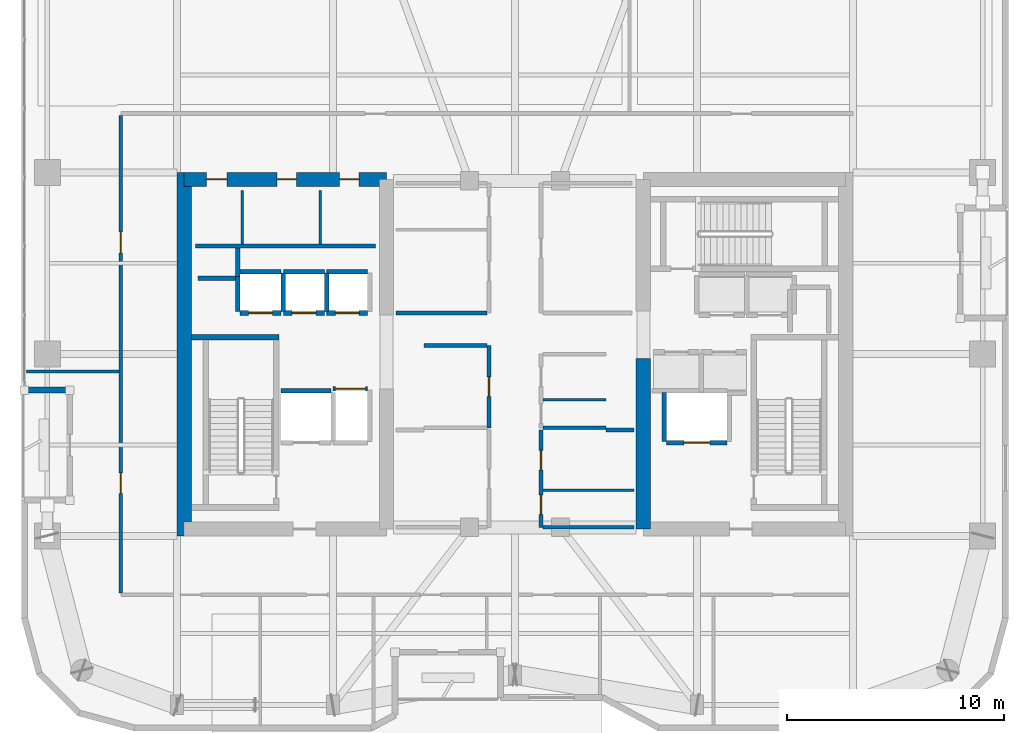
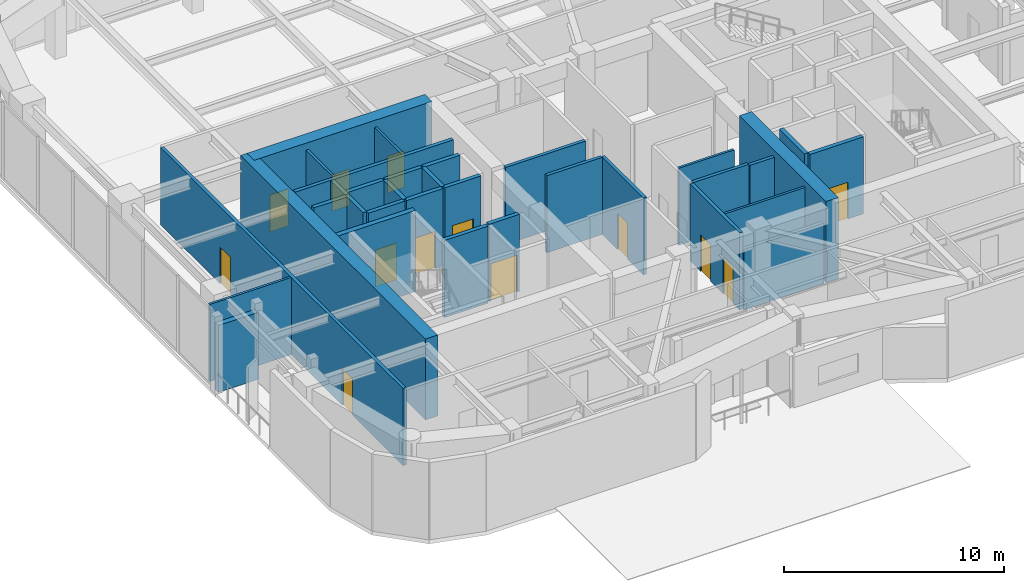
# One storey, part 12 of 18: 34 walls, 13 doors, 13 openings.
"""IFC4 building model written with IfcOpenShell, lengths in metres."""

from ifc_helpers import new_model, si_unit, direction, frame, frame_2d, origin, place, context, subcontext, project, spatial, rectangle, extrude, material, layer, layer_set, type_object, element, fill, save


model = new_model("IFC4")

# Units and contexts
model_context = context("Model", 3, precision=1e-05, world=origin(), true_north=direction((0.0, 1.0)))
body_context = subcontext(model_context, "Body", "Model", "MODEL_VIEW")
ifc_project = project(units=[si_unit("LENGTHUNIT", "METRE"), si_unit("AREAUNIT", "SQUARE_METRE"), si_unit("VOLUMEUNIT", "CUBIC_METRE"), si_unit("PLANEANGLEUNIT", "RADIAN"), si_unit("MASSUNIT", "GRAM", prefix="KILO")], contexts=[model_context])

# Site, building, storey
site_placement = place(None, origin())
site = spatial("IfcSite", under=ifc_project, at=site_placement, CompositionType="ELEMENT")
building_placement = place(site_placement, origin())
building = spatial("IfcBuilding", under=site, at=building_placement, Name="Kiyonajd Concourse Tower", CompositionType="ELEMENT")
storey_placement = place(building_placement, frame((0.0, 0.0, 214.800048828125)))
storey = spatial("IfcBuildingStorey", under=building, at=storey_placement, Name="L54", CompositionType="ELEMENT", Elevation=214.800048828125)

# Wall
ifc_material_1 = material(Name="Concrete C60/75", Category="concrete")
ifc_layer_1 = layer(ifc_material_1, 0.64990234375)
ifc_layer_set_1 = layer_set([ifc_layer_1], Name="Concrete C60/75")
wall_type_1 = type_object("IfcWallType", Name="WL-CORE-650", PredefinedType="SHEAR", material=ifc_layer_set_1)
wall_1_placement = place(storey_placement, frame((32.72509765625, 27.60009765625, 0.0), z_axis=(0.0, 0.0, 1.0), x_axis=(0.0, 1.0, 0.0)))
element("IfcWall", 1, at=wall_1_placement, inside=storey, type_object=wall_type_1, Name="L54 West Core Outer Shear Wall", PredefinedType="SHEAR", context=body_context, shape_type="SweptSolid", body=[
    extrude(rectangle(XDim=16.7998046875, YDim=0.64990234375, at=frame_2d((8.39990234375, 0.0))), origin(), (0.0, 0.0, 1.0), 4.5),
])

# Wall, openings, doors
wall_2_placement = place(storey_placement, frame((32.72509765625, 44.074951171875, 0.0), z_axis=(0.0, 0.0, 1.0), x_axis=(1.0, 0.0, 0.0)))
wall_2 = element("IfcWall", 2, at=wall_2_placement, inside=storey, type_object=wall_type_1, Name="L54 West Core North Shear Wall", PredefinedType="SHEAR", context=body_context, shape_type="SweptSolid", body=[
    extrude(rectangle(XDim=9.349853515625, YDim=0.64990234375, at=frame_2d((4.6748046875, 0.0))), origin(), (0.0, 0.0, 1.0), 4.5),
])
opening_1_placement = place(wall_2_placement, frame((1.02490234375, 0.0, 0.0)))
opening_1 = element("IfcOpeningElement", 3, at=opening_1_placement, cuts=wall_2, Name="Opening DI1", PredefinedType="OPENING", context=body_context, shape_type="SweptSolid", body=[
    extrude(rectangle(XDim=0.949951171875, YDim=2.0400390625, at=frame_2d((0.47509765625, 1.02001953125))), frame((0.0, 0.3349609375, 0.0), z_axis=(0.0, -1.0, 0.0), x_axis=(1.0, 0.0, 0.0)), (0.0, 0.0, 1.0), 0.669921875),
])
opening_2_placement = place(wall_2_placement, frame((4.27490234375, 0.0, 0.0)))
opening_2 = element("IfcOpeningElement", 4, at=opening_2_placement, cuts=wall_2, Name="Opening DI2", PredefinedType="OPENING", context=body_context, shape_type="SweptSolid", body=[
    extrude(rectangle(XDim=0.89990234375, YDim=2.02001953125, at=frame_2d((0.449951171875, 1.010009765625))), frame((0.0, 0.3349609375, 0.0), z_axis=(0.0, -1.0, 0.0), x_axis=(1.0, 0.0, 0.0)), (0.0, 0.0, 1.0), 0.669921875),
])
opening_3_placement = place(wall_2_placement, frame((7.175048828125, 0.0, 0.0)))
opening_3 = element("IfcOpeningElement", 5, at=opening_3_placement, cuts=wall_2, Name="Opening DI2", PredefinedType="OPENING", context=body_context, shape_type="SweptSolid", body=[
    extrude(rectangle(XDim=0.89990234375, YDim=2.02001953125, at=frame_2d((0.449951171875, 1.010009765625))), frame((0.0, 0.3349609375, 0.0), z_axis=(0.0, -1.0, 0.0), x_axis=(1.0, 0.0, 0.0)), (0.0, 0.0, 1.0), 0.669921875),
])
ifc_material_2 = material(Name="Natural Oak Acoustic Timber Veneer", Category="wood")
door_type_1 = type_object("IfcDoorType", Name="DR-INT-900", OperationType="NOTDEFINED", PredefinedType="DOOR", material=ifc_material_2)
door_1_placement = place(opening_2_placement, origin())
door_1 = element("IfcDoor", 6, at=door_1_placement, inside=storey, type_object=door_type_1, Name="L54 Male Restroom Door", OperationType="SINGLE_SWING_RIGHT", OverallHeight=2.02001953125, OverallWidth=0.89990234375, PredefinedType="DOOR", context=body_context, shape_type="SweptSolid", body=[
    extrude(rectangle(XDim=0.89990234375, YDim=2.02001953125, at=frame_2d((0.449951171875, 1.010009765625))), frame((0.0, 0.02490234375, 0.0), z_axis=(0.0, -1.0, 0.0), x_axis=(1.0, 0.0, 0.0)), (0.0, 0.0, 1.0), 0.050048828125),
])
fill(opening_2, door_1)
door_2_placement = place(opening_3_placement, origin())
door_2 = element("IfcDoor", 7, at=door_2_placement, inside=storey, type_object=door_type_1, Name="L54 Female Restroom Door", OperationType="SINGLE_SWING_LEFT", OverallHeight=2.02001953125, OverallWidth=0.89990234375, PredefinedType="DOOR", context=body_context, shape_type="SweptSolid", body=[
    extrude(rectangle(XDim=0.89990234375, YDim=2.02001953125, at=frame_2d((0.449951171875, 1.010009765625))), frame((0.0, 0.02490234375, 0.0), z_axis=(0.0, -1.0, 0.0), x_axis=(1.0, 0.0, 0.0)), (0.0, 0.0, 1.0), 0.050048828125),
])
fill(opening_3, door_2)
door_type_2 = type_object("IfcDoorType", Name="DR-INT-950", OperationType="NOTDEFINED", PredefinedType="DOOR", material=ifc_material_2)
door_3_placement = place(opening_1_placement, origin())
door_3 = element("IfcDoor", 8, at=door_3_placement, inside=storey, type_object=door_type_2, Name="L54 Single User Accessible WC Door", OperationType="SINGLE_SWING_LEFT", OverallHeight=2.0400390625, OverallWidth=0.949951171875, PredefinedType="DOOR", context=body_context, shape_type="SweptSolid", body=[
    extrude(rectangle(XDim=0.949951171875, YDim=2.0400390625, at=frame_2d((0.47509765625, 1.02001953125))), frame((0.0, 0.02490234375, 0.0), z_axis=(0.0, -1.0, 0.0), x_axis=(1.0, 0.0, 0.0)), (0.0, 0.0, 1.0), 0.050048828125),
])
fill(opening_1, door_3)

# Walls
wall_3_placement = place(storey_placement, frame((53.925048828125, 27.925048828125, 0.0), z_axis=(0.0, 0.0, 1.0), x_axis=(0.0, 1.0, 0.0)))
element("IfcWall", 9, at=wall_3_placement, inside=storey, type_object=wall_type_1, Name="L54 East Core Inner South Shear Wall", PredefinedType="SHEAR", context=body_context, shape_type="SweptSolid", body=[
    extrude(rectangle(XDim=7.875, YDim=0.64990234375, at=frame_2d((3.9375, 0.0))), origin(), (0.0, 0.0, 1.0), 4.5),
])
ifc_material_3 = material(Name="Precast concrete C50/60", Category="concrete")
ifc_layer_2 = layer(ifc_material_3, 0.280029296875)
ifc_layer_set_2 = layer_set([ifc_layer_2], Name="Precast concrete C50/60")
wall_type_2 = type_object("IfcWallType", Name="WL-EXT-280", PredefinedType="SOLIDWALL", material=ifc_layer_set_2)
wall_4_placement = place(storey_placement, frame((27.43994140625, 34.340087890625, 0.0), z_axis=(0.0, 0.0, 1.0), x_axis=(-1.0, 0.0, 0.0)))
element("IfcWall", 10, at=wall_4_placement, inside=storey, type_object=wall_type_2, Name="L54 Exterior Concrete Frame Wall 04", PredefinedType="SOLIDWALL", context=body_context, shape_type="SweptSolid", body=[
    extrude(rectangle(XDim=2.099853515625, YDim=0.280029296875, at=frame_2d((1.0498046875, 0.0))), origin(), (0.0, 0.0, 1.0), 3.716064453125),
])
ifc_material_4 = material(Name="Gypsum Board on Cold-Formed Steel Stud", Category="steel")
ifc_layer_3 = layer(ifc_material_4, 0.125)
ifc_layer_set_3 = layer_set([ifc_layer_3], Name="Gypsum Board on Cold-Formed Steel Stud")
wall_type_3 = type_object("IfcWallType", Name="WL-PART-125", PredefinedType="PARTITIONING", material=ifc_layer_set_3)
for number, where, z_axis, x_axis, name in (
    (11, (35.39990234375, 41.094970703125, 0.0), (0.0, 0.0, 1.0), (0.0, 1.0, 0.0), "L54 Interior Partition Wall"),
    (12, (39.0, 41.094970703125, 0.0), (0.0, 0.0, 1.0), (0.0, 1.0, 0.0), "L54 Interior Partition Wall"),
):
    element("IfcWall", number, at=place(storey_placement, frame(where, z_axis=z_axis, x_axis=x_axis)), inside=storey, type_object=wall_type_3, Name=name, PredefinedType="PARTITIONING", context=body_context, shape_type="SweptSolid", body=[
        extrude(rectangle(XDim=2.455078125, YDim=0.125, at=frame_2d((1.2275390625, 0.0))), origin(), (0.0, 0.0, 1.0), 4.280029296875),
    ])
wall_5_placement = place(storey_placement, frame((49.287109375, 33.89208984375, 0.0), z_axis=(0.0, 0.0, 1.0), x_axis=(1.0, 0.0, 0.0)))
element("IfcWall", 13, at=wall_5_placement, inside=storey, type_object=wall_type_3, Name="L54 Interior Partition Wall", PredefinedType="PARTITIONING", context=body_context, shape_type="SweptSolid", body=[
    extrude(rectangle(XDim=2.912841796875, YDim=0.125, at=frame_2d((1.45654296875, 0.0))), origin(), (0.0, 0.0, 1.0), 4.280029296875),
])
wall_6_placement = place(storey_placement, frame((49.287109375, 29.7099609375, 0.0), z_axis=(0.0, 0.0, 1.0), x_axis=(1.0, 0.0, 0.0)))
element("IfcWall", 14, at=wall_6_placement, inside=storey, type_object=wall_type_3, Name="L54 Interior Partition Wall", PredefinedType="PARTITIONING", context=body_context, shape_type="SweptSolid", body=[
    extrude(rectangle(XDim=4.212890625, YDim=0.125, at=frame_2d((2.1064453125, 0.0))), origin(), (0.0, 0.0, 1.0), 4.280029296875),
])
wall_7_placement = place(storey_placement, frame((25.445068359375, 35.199951171875, 0.0), z_axis=(0.0, 0.0, 1.0), x_axis=(1.0, 0.0, 0.0)))
element("IfcWall", 15, at=wall_7_placement, inside=storey, type_object=wall_type_3, Name="L54 Interior Partition Wall", PredefinedType="PARTITIONING", context=body_context, shape_type="SweptSolid", body=[
    extrude(rectangle(XDim=4.267822265625, YDim=0.125, at=frame_2d((2.1337890625, 0.0))), origin(), (0.0, 0.0, 1.0), 4.280029296875),
])
ifc_layer_4 = layer(ifc_material_4, 0.18994140625)
ifc_layer_set_4 = layer_set([ifc_layer_4], Name="Gypsum Board on Cold-Formed Steel Stud")
wall_type_4 = type_object("IfcWallType", Name="WL-PLMB-190", PredefinedType="PLUMBINGWALL", material=ifc_layer_set_4)
wall_8_placement = place(storey_placement, frame((33.25, 41.0, 0.0), z_axis=(0.0, 0.0, 1.0), x_axis=(1.0, 0.0, 0.0)))
element("IfcWall", 16, at=wall_8_placement, inside=storey, type_object=wall_type_4, Name="L54 Interior Partition Wall", PredefinedType="PLUMBINGWALL", context=body_context, shape_type="SweptSolid", body=[
    extrude(rectangle(XDim=8.300048828125, YDim=0.18994140625, at=frame_2d((4.14990234375, 0.0))), origin(), (0.0, 0.0, 1.0), 4.280029296875),
])
ifc_layer_5 = layer(ifc_material_4, 0.2099609375)
ifc_layer_set_5 = layer_set([ifc_layer_5], Name="Gypsum Board on Cold-Formed Steel Stud")
wall_type_5 = type_object("IfcWallType", Name="WL-SHAFT-210", PredefinedType="PARTITIONING", material=ifc_layer_set_5)
wall_9_placement = place(storey_placement, frame((33.360107421875, 39.5, 0.0), z_axis=(0.0, 0.0, 1.0), x_axis=(1.0, 0.0, 0.0)))
element("IfcWall", 17, at=wall_9_placement, inside=storey, type_object=wall_type_5, Name="L54 Shaft Enclosure Wall", PredefinedType="PARTITIONING", context=body_context, shape_type="SweptSolid", body=[
    extrude(rectangle(XDim=1.85986328125, YDim=0.2099609375, at=frame_2d((0.929931640625, 0.0))), origin(), (0.0, 0.0, 1.0), 4.280029296875),
])
wall_10_placement = place(storey_placement, frame((35.199951171875, 39.580078125, 0.0), z_axis=(0.0, 0.0, 1.0), x_axis=(0.0, 1.0, 0.0)))
element("IfcWall", 18, at=wall_10_placement, inside=storey, type_object=wall_type_5, Name="L54 Shaft Enclosure Wall", PredefinedType="PARTITIONING", context=body_context, shape_type="SweptSolid", body=[
    extrude(rectangle(XDim=1.31982421875, YDim=0.2099609375, at=frame_2d((0.659912109375, 0.0))), origin(), (0.0, 0.0, 1.0), 4.280029296875),
])
wall_11_placement = place(storey_placement, frame((37.199951171875, 34.300048828125, 0.0), z_axis=(0.0, 0.0, 1.0), x_axis=(1.0, 0.0, 0.0)))
element("IfcWall", 19, at=wall_11_placement, inside=storey, type_object=wall_type_5, Name="L54 Shaft Enclosure Wall", PredefinedType="PARTITIONING", context=body_context, shape_type="SweptSolid", body=[
    extrude(rectangle(XDim=2.300048828125, YDim=0.2099609375, at=frame_2d((1.14990234375, 0.0))), origin(), (0.0, 0.0, 1.0), 4.280029296875),
])

# Wall, opening, door
wall_12_placement = place(storey_placement, frame((55.0, 31.89990234375, 0.0), z_axis=(0.0, 0.0, 1.0), x_axis=(1.0, 0.0, 0.0)))
wall_12 = element("IfcWall", 20, at=wall_12_placement, inside=storey, type_object=wall_type_5, Name="L54 Shaft Enclosure Wall", PredefinedType="PARTITIONING", context=body_context, shape_type="SweptSolid", body=[
    extrude(rectangle(XDim=2.800048828125, YDim=0.2099609375, at=frame_2d((1.39990234375, 0.0))), origin(), (0.0, 0.0, 1.0), 4.280029296875),
])
opening_4_placement = place(wall_12_placement, frame((0.800048828125, 0.0, 0.0)))
opening_4 = element("IfcOpeningElement", 21, at=opening_4_placement, cuts=wall_12, Name="Opening LD2", PredefinedType="OPENING", context=body_context, shape_type="SweptSolid", body=[
    extrude(rectangle(XDim=1.199951171875, YDim=2.0400390625, at=frame_2d((0.60009765625, 1.02001953125))), frame((0.0, 0.114990234375, 0.0), z_axis=(0.0, -1.0, 0.0), x_axis=(1.0, 0.0, 0.0)), (0.0, 0.0, 1.0), 0.22998046875),
])
ifc_material_5 = material(Name="Brushed Stainless Steel Cab Assembly", Category="steel")
door_type_3 = type_object("IfcDoorType", Name="DR-LD-1200", OperationType="DOUBLE_DOOR_SLIDING", PredefinedType="DOOR", material=ifc_material_5)
door_4_placement = place(opening_4_placement, origin())
door_4 = element("IfcDoor", 22, at=door_4_placement, inside=storey, type_object=door_type_3, Name="L54 Lift FFL2 Sliding Landing Door", OperationType="DOUBLE_DOOR_SLIDING", OverallHeight=2.0400390625, OverallWidth=1.199951171875, PredefinedType="DOOR", context=body_context, shape_type="SweptSolid", body=[
    extrude(rectangle(XDim=1.199951171875, YDim=2.0400390625, at=frame_2d((0.60009765625, 1.02001953125))), frame((0.0, 0.02490234375, 0.0), z_axis=(0.0, -1.0, 0.0), x_axis=(1.0, 0.0, 0.0)), (0.0, 0.0, 1.0), 0.050048828125),
])
fill(opening_4, door_4)

# Wall
wall_13_placement = place(storey_placement, frame((54.89990234375, 31.9599609375, 0.0), z_axis=(0.0, 0.0, 1.0), x_axis=(0.0, 1.0, 0.0)))
element("IfcWall", 23, at=wall_13_placement, inside=storey, type_object=wall_type_5, Name="L54 Shaft Enclosure Wall", PredefinedType="PARTITIONING", context=body_context, shape_type="SweptSolid", body=[
    extrude(rectangle(XDim=2.280029296875, YDim=0.2099609375, at=frame_2d((1.14013671875, 0.0))), origin(), (0.0, 0.0, 1.0), 4.280029296875),
])

# Wall, opening, door
wall_14_placement = place(storey_placement, frame((39.60009765625, 34.39990234375, 0.0), z_axis=(0.0, 0.0, 1.0), x_axis=(1.0, 0.0, 0.0)))
wall_14 = element("IfcWall", 24, at=wall_14_placement, inside=storey, type_object=wall_type_5, Name="L54 Shaft Enclosure Wall", PredefinedType="PARTITIONING", context=body_context, shape_type="SweptSolid", body=[
    extrude(rectangle(XDim=1.599853515625, YDim=0.2099609375, at=frame_2d((0.7998046875, 0.0))), origin(), (0.0, 0.0, 1.0), 4.280029296875),
])
opening_5_placement = place(wall_14_placement, frame((0.10009765625, 0.0, 0.0)))
opening_5 = element("IfcOpeningElement", 25, at=opening_5_placement, cuts=wall_14, Name="Opening LD3", PredefinedType="OPENING", context=body_context, shape_type="SweptSolid", body=[
    extrude(rectangle(XDim=1.39990234375, YDim=2.06005859375, at=frame_2d((0.699951171875, 1.030029296875))), frame((0.0, 0.114990234375, 0.0), z_axis=(0.0, -1.0, 0.0), x_axis=(1.0, 0.0, 0.0)), (0.0, 0.0, 1.0), 0.22998046875),
])
door_type_4 = type_object("IfcDoorType", Name="DR-LD-1400", OperationType="DOUBLE_DOOR_SLIDING", PredefinedType="DOOR", material=ifc_material_5)
door_5_placement = place(opening_5_placement, origin())
door_5 = element("IfcDoor", 26, at=door_5_placement, inside=storey, type_object=door_type_4, Name="L54 Lift SVL1 Sliding Landing Door", OperationType="DOUBLE_DOOR_SLIDING", OverallHeight=2.06005859375, OverallWidth=1.39990234375, PredefinedType="DOOR", context=body_context, shape_type="SweptSolid", body=[
    extrude(rectangle(XDim=1.39990234375, YDim=2.06005859375, at=frame_2d((0.699951171875, 1.030029296875))), frame((0.0, 0.02490234375, 0.0), z_axis=(0.0, -1.0, 0.0), x_axis=(1.0, 0.0, 0.0)), (0.0, 0.0, 1.0), 0.050048828125),
])
fill(opening_5, door_5)

wall_15_placement = place(storey_placement, frame((35.300048828125, 37.89990234375, 0.0), z_axis=(0.0, 0.0, 1.0), x_axis=(1.0, 0.0, 0.0)))
wall_15 = element("IfcWall", 27, at=wall_15_placement, inside=storey, type_object=wall_type_5, Name="L54 Shaft Enclosure Wall", PredefinedType="PARTITIONING", context=body_context, shape_type="SweptSolid", body=[
    extrude(rectangle(XDim=1.89990234375, YDim=0.2099609375, at=frame_2d((0.949951171875, 0.0))), origin(), (0.0, 0.0, 1.0), 4.280029296875),
])
opening_6_placement = place(wall_15_placement, frame((0.39990234375, 0.0, 0.0)))
opening_6 = element("IfcOpeningElement", 28, at=opening_6_placement, cuts=wall_15, Name="Opening LD1", PredefinedType="OPENING", context=body_context, shape_type="SweptSolid", body=[
    extrude(rectangle(XDim=1.10009765625, YDim=2.0400390625, at=frame_2d((0.550048828125, 1.02001953125))), frame((0.0, 0.114990234375, 0.0), z_axis=(0.0, -1.0, 0.0), x_axis=(1.0, 0.0, 0.0)), (0.0, 0.0, 1.0), 0.22998046875),
])
door_type_5 = type_object("IfcDoorType", Name="DR-LD-1100", OperationType="DOUBLE_DOOR_SLIDING", PredefinedType="DOOR", material=ifc_material_5)
door_6_placement = place(opening_6_placement, origin())
door_6 = element("IfcDoor", 29, at=door_6_placement, inside=storey, type_object=door_type_5, Name="L54 Lift EXL1 Sliding Landing Door", OperationType="DOUBLE_DOOR_SLIDING", OverallHeight=2.0400390625, OverallWidth=1.10009765625, PredefinedType="DOOR", context=body_context, shape_type="SweptSolid", body=[
    extrude(rectangle(XDim=1.10009765625, YDim=2.0400390625, at=frame_2d((0.550048828125, 1.02001953125))), frame((0.0, 0.02490234375, 0.0), z_axis=(0.0, -1.0, 0.0), x_axis=(1.0, 0.0, 0.0)), (0.0, 0.0, 1.0), 0.050048828125),
])
fill(opening_6, door_6)

# Walls
wall_16_placement = place(storey_placement, frame((35.300048828125, 39.800048828125, 0.0), z_axis=(0.0, 0.0, 1.0), x_axis=(1.0, 0.0, 0.0)))
element("IfcWall", 30, at=wall_16_placement, inside=storey, type_object=wall_type_5, Name="L54 Shaft Enclosure Wall", PredefinedType="PARTITIONING", context=body_context, shape_type="SweptSolid", body=[
    extrude(rectangle(XDim=1.89990234375, YDim=0.2099609375, at=frame_2d((0.949951171875, 0.0))), origin(), (0.0, 0.0, 1.0), 4.280029296875),
])
wall_17_placement = place(storey_placement, frame((35.199951171875, 37.9599609375, 0.0), z_axis=(0.0, 0.0, 1.0), x_axis=(0.0, 1.0, 0.0)))
element("IfcWall", 31, at=wall_17_placement, inside=storey, type_object=wall_type_5, Name="L54 Shaft Enclosure Wall", PredefinedType="PARTITIONING", context=body_context, shape_type="SweptSolid", body=[
    extrude(rectangle(XDim=1.6201171875, YDim=0.2099609375, at=frame_2d((0.81005859375, 0.0))), origin(), (0.0, 0.0, 1.0), 4.280029296875),
])
wall_18_placement = place(storey_placement, frame((37.300048828125, 37.9599609375, 0.0), z_axis=(0.0, 0.0, 1.0), x_axis=(0.0, 1.0, 0.0)))
element("IfcWall", 32, at=wall_18_placement, inside=storey, type_object=wall_type_5, Name="L54 Shaft Enclosure Wall", PredefinedType="PARTITIONING", context=body_context, shape_type="SweptSolid", body=[
    extrude(rectangle(XDim=1.780029296875, YDim=0.2099609375, at=frame_2d((0.89013671875, 0.0))), origin(), (0.0, 0.0, 1.0), 4.280029296875),
])

# Wall, opening, door
wall_19_placement = place(storey_placement, frame((37.300048828125, 37.89990234375, 0.0), z_axis=(0.0, 0.0, 1.0), x_axis=(1.0, 0.0, 0.0)))
wall_19 = element("IfcWall", 33, at=wall_19_placement, inside=storey, type_object=wall_type_5, Name="L54 Shaft Enclosure Wall", PredefinedType="PARTITIONING", context=body_context, shape_type="SweptSolid", body=[
    extrude(rectangle(XDim=1.89990234375, YDim=0.2099609375, at=frame_2d((0.949951171875, 0.0))), origin(), (0.0, 0.0, 1.0), 4.280029296875),
])
opening_7_placement = place(wall_19_placement, frame((0.39990234375, 0.0, 0.0)))
opening_7 = element("IfcOpeningElement", 34, at=opening_7_placement, cuts=wall_19, Name="Opening LD1", PredefinedType="OPENING", context=body_context, shape_type="SweptSolid", body=[
    extrude(rectangle(XDim=1.10009765625, YDim=2.0400390625, at=frame_2d((0.550048828125, 1.02001953125))), frame((0.0, 0.114990234375, 0.0), z_axis=(0.0, -1.0, 0.0), x_axis=(1.0, 0.0, 0.0)), (0.0, 0.0, 1.0), 0.22998046875),
])
door_7_placement = place(opening_7_placement, origin())
door_7 = element("IfcDoor", 35, at=door_7_placement, inside=storey, type_object=door_type_5, Name="L54 Lift EXL2 Sliding Landing Door", OperationType="DOUBLE_DOOR_SLIDING", OverallHeight=2.0400390625, OverallWidth=1.10009765625, PredefinedType="DOOR", context=body_context, shape_type="SweptSolid", body=[
    extrude(rectangle(XDim=1.10009765625, YDim=2.0400390625, at=frame_2d((0.550048828125, 1.02001953125))), frame((0.0, 0.02490234375, 0.0), z_axis=(0.0, -1.0, 0.0), x_axis=(1.0, 0.0, 0.0)), (0.0, 0.0, 1.0), 0.050048828125),
])
fill(opening_7, door_7)

# Walls
wall_20_placement = place(storey_placement, frame((37.300048828125, 39.800048828125, 0.0), z_axis=(0.0, 0.0, 1.0), x_axis=(1.0, 0.0, 0.0)))
element("IfcWall", 36, at=wall_20_placement, inside=storey, type_object=wall_type_5, Name="L54 Shaft Enclosure Wall", PredefinedType="PARTITIONING", context=body_context, shape_type="SweptSolid", body=[
    extrude(rectangle(XDim=1.89990234375, YDim=0.2099609375, at=frame_2d((0.949951171875, 0.0))), origin(), (0.0, 0.0, 1.0), 4.280029296875),
])
wall_21_placement = place(storey_placement, frame((39.300048828125, 37.9599609375, 0.0), z_axis=(0.0, 0.0, 1.0), x_axis=(0.0, 1.0, 0.0)))
element("IfcWall", 37, at=wall_21_placement, inside=storey, type_object=wall_type_5, Name="L54 Shaft Enclosure Wall", PredefinedType="PARTITIONING", context=body_context, shape_type="SweptSolid", body=[
    extrude(rectangle(XDim=1.780029296875, YDim=0.2099609375, at=frame_2d((0.89013671875, 0.0))), origin(), (0.0, 0.0, 1.0), 4.280029296875),
])

# Wall, opening, door
wall_22_placement = place(storey_placement, frame((39.300048828125, 37.89990234375, 0.0), z_axis=(0.0, 0.0, 1.0), x_axis=(1.0, 0.0, 0.0)))
wall_22 = element("IfcWall", 38, at=wall_22_placement, inside=storey, type_object=wall_type_5, Name="L54 Shaft Enclosure Wall", PredefinedType="PARTITIONING", context=body_context, shape_type="SweptSolid", body=[
    extrude(rectangle(XDim=1.89990234375, YDim=0.2099609375, at=frame_2d((0.949951171875, 0.0))), origin(), (0.0, 0.0, 1.0), 4.280029296875),
])
opening_8_placement = place(wall_22_placement, frame((0.39990234375, 0.0, 0.0)))
opening_8 = element("IfcOpeningElement", 39, at=opening_8_placement, cuts=wall_22, Name="Opening LD1", PredefinedType="OPENING", context=body_context, shape_type="SweptSolid", body=[
    extrude(rectangle(XDim=1.10009765625, YDim=2.0400390625, at=frame_2d((0.550048828125, 1.02001953125))), frame((0.0, 0.114990234375, 0.0), z_axis=(0.0, -1.0, 0.0), x_axis=(1.0, 0.0, 0.0)), (0.0, 0.0, 1.0), 0.22998046875),
])
door_8_placement = place(opening_8_placement, origin())
door_8 = element("IfcDoor", 40, at=door_8_placement, inside=storey, type_object=door_type_5, Name="L54 Lift EXL3 Sliding Landing Door", OperationType="DOUBLE_DOOR_SLIDING", OverallHeight=2.0400390625, OverallWidth=1.10009765625, PredefinedType="DOOR", context=body_context, shape_type="SweptSolid", body=[
    extrude(rectangle(XDim=1.10009765625, YDim=2.0400390625, at=frame_2d((0.550048828125, 1.02001953125))), frame((0.0, 0.02490234375, 0.0), z_axis=(0.0, -1.0, 0.0), x_axis=(1.0, 0.0, 0.0)), (0.0, 0.0, 1.0), 0.050048828125),
])
fill(opening_8, door_8)

# Wall
wall_23_placement = place(storey_placement, frame((39.300048828125, 39.800048828125, 0.0), z_axis=(0.0, 0.0, 1.0), x_axis=(1.0, 0.0, 0.0)))
element("IfcWall", 41, at=wall_23_placement, inside=storey, type_object=wall_type_5, Name="L54 Shaft Enclosure Wall", PredefinedType="PARTITIONING", context=body_context, shape_type="SweptSolid", body=[
    extrude(rectangle(XDim=1.89990234375, YDim=0.2099609375, at=frame_2d((0.949951171875, 0.0))), origin(), (0.0, 0.0, 1.0), 4.280029296875),
])

# Wall, opening, door
ifc_layer_6 = layer(ifc_material_4, 0.169921875)
ifc_layer_set_6 = layer_set([ifc_layer_6], Name="Gypsum Board on Cold-Formed Steel Stud")
wall_type_6 = type_object("IfcWallType", Name="WL-SMK-170", PredefinedType="PARTITIONING", material=ifc_layer_set_6)
wall_24_placement = place(storey_placement, frame((46.800048828125, 32.60009765625, 0.0), z_axis=(0.0, 0.0, 1.0), x_axis=(0.0, 1.0, 0.0)))
wall_24 = element("IfcWall", 42, at=wall_24_placement, inside=storey, type_object=wall_type_6, Name="L54 Interior Partition Wall", PredefinedType="PARTITIONING", context=body_context, shape_type="SweptSolid", body=[
    extrude(rectangle(XDim=3.7998046875, YDim=0.169921875, at=frame_2d((1.89990234375, 0.0))), origin(), (0.0, 0.0, 1.0), 4.280029296875),
])
opening_9_placement = place(wall_24_placement, frame((1.449951171875, 0.0, 0.0)))
opening_9 = element("IfcOpeningElement", 43, at=opening_9_placement, cuts=wall_24, Name="Opening DI2", PredefinedType="OPENING", context=body_context, shape_type="SweptSolid", body=[
    extrude(rectangle(XDim=0.89990234375, YDim=2.02001953125, at=frame_2d((0.449951171875, 1.010009765625))), frame((0.0, 0.094970703125, 0.0), z_axis=(0.0, -1.0, 0.0), x_axis=(1.0, 0.0, 0.0)), (0.0, 0.0, 1.0), 0.18994140625),
])
door_9_placement = place(opening_9_placement, origin())
door_9 = element("IfcDoor", 44, at=door_9_placement, inside=storey, type_object=door_type_1, Name="L54 Interior Door", OperationType="SINGLE_SWING_LEFT", OverallHeight=2.02001953125, OverallWidth=0.89990234375, PredefinedType="DOOR", context=body_context, shape_type="SweptSolid", body=[
    extrude(rectangle(XDim=0.89990234375, YDim=2.02001953125, at=frame_2d((0.449951171875, 1.010009765625))), frame((0.0, 0.02490234375, 0.0), z_axis=(0.0, -1.0, 0.0), x_axis=(1.0, 0.0, 0.0)), (0.0, 0.0, 1.0), 0.050048828125),
])
fill(opening_9, door_9)

# Walls
for number, where, z_axis, x_axis, name in (
    (45, (43.800048828125, 36.39990234375, 0.0), (0.0, 0.0, 1.0), (1.0, 0.0, 0.0), "L54 Interior Partition Wall"),
    (46, (49.287109375, 32.60009765625, 0.0), (0.0, 0.0, 1.0), (1.0, 0.0, 0.0), "L54 Interior Partition Wall"),
):
    element("IfcWall", number, at=place(storey_placement, frame(where, z_axis=z_axis, x_axis=x_axis)), inside=storey, type_object=wall_type_6, Name=name, PredefinedType="PARTITIONING", context=body_context, shape_type="SweptSolid", body=[
        extrude(rectangle(XDim=2.912841796875, YDim=0.169921875, at=frame_2d((1.45654296875, 0.0))), origin(), (0.0, 0.0, 1.0), 4.280029296875),
    ])

# Wall, openings, doors
wall_25_placement = place(storey_placement, frame((49.199951171875, 28.0, 0.0), z_axis=(0.0, 0.0, 1.0), x_axis=(0.0, 1.0, 0.0)))
wall_25 = element("IfcWall", 47, at=wall_25_placement, inside=storey, type_object=wall_type_6, Name="L54 Interior Partition Wall", PredefinedType="PARTITIONING", context=body_context, shape_type="SweptSolid", body=[
    extrude(rectangle(XDim=4.5, YDim=0.169921875, at=frame_2d((2.25, 0.0))), origin(), (0.0, 0.0, 1.0), 4.280029296875),
])
opening_10_placement = place(wall_25_placement, frame((0.60498046875, 0.0, 0.0)))
opening_10 = element("IfcOpeningElement", 48, at=opening_10_placement, cuts=wall_25, Name="Opening DI2", PredefinedType="OPENING", context=body_context, shape_type="SweptSolid", body=[
    extrude(rectangle(XDim=0.89990234375, YDim=2.02001953125, at=frame_2d((0.449951171875, 1.010009765625))), frame((0.0, 0.094970703125, 0.0), z_axis=(0.0, -1.0, 0.0), x_axis=(1.0, 0.0, 0.0)), (0.0, 0.0, 1.0), 0.18994140625),
])
opening_11_placement = place(wall_25_placement, frame((2.655029296875, 0.0, 0.0)))
opening_11 = element("IfcOpeningElement", 49, at=opening_11_placement, cuts=wall_25, Name="Opening DI2", PredefinedType="OPENING", context=body_context, shape_type="SweptSolid", body=[
    extrude(rectangle(XDim=0.89990234375, YDim=2.02001953125, at=frame_2d((0.449951171875, 1.010009765625))), frame((0.0, 0.094970703125, 0.0), z_axis=(0.0, -1.0, 0.0), x_axis=(1.0, 0.0, 0.0)), (0.0, 0.0, 1.0), 0.18994140625),
])
door_10_placement = place(opening_10_placement, origin())
door_10 = element("IfcDoor", 50, at=door_10_placement, inside=storey, type_object=door_type_1, Name="L54 Interior Door", OperationType="SINGLE_SWING_LEFT", OverallHeight=2.02001953125, OverallWidth=0.89990234375, PredefinedType="DOOR", context=body_context, shape_type="SweptSolid", body=[
    extrude(rectangle(XDim=0.89990234375, YDim=2.02001953125, at=frame_2d((0.449951171875, 1.010009765625))), frame((0.0, 0.02490234375, 0.0), z_axis=(0.0, -1.0, 0.0), x_axis=(1.0, 0.0, 0.0)), (0.0, 0.0, 1.0), 0.050048828125),
])
fill(opening_10, door_10)
door_11_placement = place(opening_11_placement, origin())
door_11 = element("IfcDoor", 51, at=door_11_placement, inside=storey, type_object=door_type_1, Name="L54 Interior Door", OperationType="SINGLE_SWING_RIGHT", OverallHeight=2.02001953125, OverallWidth=0.89990234375, PredefinedType="DOOR", context=body_context, shape_type="SweptSolid", body=[
    extrude(rectangle(XDim=0.89990234375, YDim=2.02001953125, at=frame_2d((0.449951171875, 1.010009765625))), frame((0.0, 0.02490234375, 0.0), z_axis=(0.0, -1.0, 0.0), x_axis=(1.0, 0.0, 0.0)), (0.0, 0.0, 1.0), 0.050048828125),
])
fill(opening_11, door_11)

# Walls
wall_26_placement = place(storey_placement, frame((49.287109375, 28.0, 0.0), z_axis=(0.0, 0.0, 1.0), x_axis=(1.0, 0.0, 0.0)))
element("IfcWall", 52, at=wall_26_placement, inside=storey, type_object=wall_type_6, Name="L54 Interior Partition Wall", PredefinedType="PARTITIONING", context=body_context, shape_type="SweptSolid", body=[
    extrude(rectangle(XDim=4.212890625, YDim=0.169921875, at=frame_2d((2.1064453125, 0.0))), origin(), (0.0, 0.0, 1.0), 3.364990234375),
])
wall_27_placement = place(storey_placement, frame((52.199951171875, 32.5, 0.0), z_axis=(0.0, 0.0, 1.0), x_axis=(1.0, 0.0, 0.0)))
element("IfcWall", 53, at=wall_27_placement, inside=storey, type_object=wall_type_6, Name="L54 Interior Partition Wall", PredefinedType="PARTITIONING", context=body_context, shape_type="SweptSolid", body=[
    extrude(rectangle(XDim=1.300048828125, YDim=0.169921875, at=frame_2d((0.64990234375, 0.0))), origin(), (0.0, 0.0, 1.0), 4.280029296875),
])
wall_28_placement = place(storey_placement, frame((42.5, 37.89990234375, 0.0), z_axis=(0.0, 0.0, 1.0), x_axis=(1.0, 0.0, 0.0)))
element("IfcWall", 54, at=wall_28_placement, inside=storey, type_object=wall_type_6, Name="L54 Interior Partition Wall", PredefinedType="PARTITIONING", context=body_context, shape_type="SweptSolid", body=[
    extrude(rectangle(XDim=4.212890625, YDim=0.169921875, at=frame_2d((2.1064453125, 0.0))), origin(), (0.0, 0.0, 1.0), 4.280029296875),
])

# Wall, openings, doors
wall_29_placement = place(storey_placement, frame((29.800048828125, 24.97705078125, 0.0), z_axis=(0.0, 0.0, 1.0), x_axis=(0.0, 1.0, 0.0)))
wall_29 = element("IfcWall", 55, at=wall_29_placement, inside=storey, type_object=wall_type_6, Name="L54 Interior Partition Wall", PredefinedType="PARTITIONING", context=body_context, shape_type="SweptSolid", body=[
    extrude(rectangle(XDim=22.0458984375, YDim=0.169921875, at=frame_2d((11.02294921875, 0.0))), origin(), (0.0, 0.0, 1.0), 4.280029296875),
])
opening_12_placement = place(wall_29_placement, frame((4.593017578125, 0.0, 0.0)))
opening_12 = element("IfcOpeningElement", 56, at=opening_12_placement, cuts=wall_29, Name="Opening DI1", PredefinedType="OPENING", context=body_context, shape_type="SweptSolid", body=[
    extrude(rectangle(XDim=0.949951171875, YDim=2.0400390625, at=frame_2d((0.47509765625, 1.02001953125))), frame((0.0, 0.094970703125, 0.0), z_axis=(0.0, -1.0, 0.0), x_axis=(1.0, 0.0, 0.0)), (0.0, 0.0, 1.0), 0.18994140625),
])
opening_13_placement = place(wall_29_placement, frame((15.702880859375, 0.0, 0.0)))
opening_13 = element("IfcOpeningElement", 57, at=opening_13_placement, cuts=wall_29, Name="Opening DI1", PredefinedType="OPENING", context=body_context, shape_type="SweptSolid", body=[
    extrude(rectangle(XDim=0.949951171875, YDim=2.0400390625, at=frame_2d((0.47509765625, 1.02001953125))), frame((0.0, 0.094970703125, 0.0), z_axis=(0.0, -1.0, 0.0), x_axis=(1.0, 0.0, 0.0)), (0.0, 0.0, 1.0), 0.18994140625),
])
door_12_placement = place(opening_12_placement, origin())
door_12 = element("IfcDoor", 58, at=door_12_placement, inside=storey, type_object=door_type_2, Name="L54 Interior Door", OperationType="SINGLE_SWING_RIGHT", OverallHeight=2.0400390625, OverallWidth=0.949951171875, PredefinedType="DOOR", context=body_context, shape_type="SweptSolid", body=[
    extrude(rectangle(XDim=0.949951171875, YDim=2.0400390625, at=frame_2d((0.47509765625, 1.02001953125))), frame((0.0, 0.02490234375, 0.0), z_axis=(0.0, -1.0, 0.0), x_axis=(1.0, 0.0, 0.0)), (0.0, 0.0, 1.0), 0.050048828125),
])
fill(opening_12, door_12)
door_13_placement = place(opening_13_placement, origin())
door_13 = element("IfcDoor", 59, at=door_13_placement, inside=storey, type_object=door_type_2, Name="L54 Interior Door", OperationType="SINGLE_SWING_LEFT", OverallHeight=2.0400390625, OverallWidth=0.949951171875, PredefinedType="DOOR", context=body_context, shape_type="SweptSolid", body=[
    extrude(rectangle(XDim=0.949951171875, YDim=2.0400390625, at=frame_2d((0.47509765625, 1.02001953125))), frame((0.0, 0.02490234375, 0.0), z_axis=(0.0, -1.0, 0.0), x_axis=(1.0, 0.0, 0.0)), (0.0, 0.0, 1.0), 0.050048828125),
])
fill(opening_13, door_13)

# Wall
ifc_material_6 = material(Name="Concrete C50/60", Category="concrete")
ifc_layer_7 = layer(ifc_material_6, 0.260009765625)
ifc_layer_set_7 = layer_set([ifc_layer_7], Name="Concrete C50/60")
wall_type_7 = type_object("IfcWallType", Name="WL-STAIR-260", PredefinedType="SHEAR", material=ifc_layer_set_7)
wall_30_placement = place(storey_placement, frame((33.050048828125, 36.780029296875, 0.0), z_axis=(0.0, 0.0, 1.0), x_axis=(1.0, 0.0, 0.0)))
element("IfcWall", 60, at=wall_30_placement, inside=storey, type_object=wall_type_7, Name="L54 Stair ST1 Structural North Wall", PredefinedType="SHEAR", context=body_context, shape_type="SweptSolid", body=[
    extrude(rectangle(XDim=4.06005859375, YDim=0.260009765625, at=frame_2d((2.030029296875, 0.0))), origin(), (0.0, 0.0, 1.0), 4.5),
])

save(model, "model.ifc")
